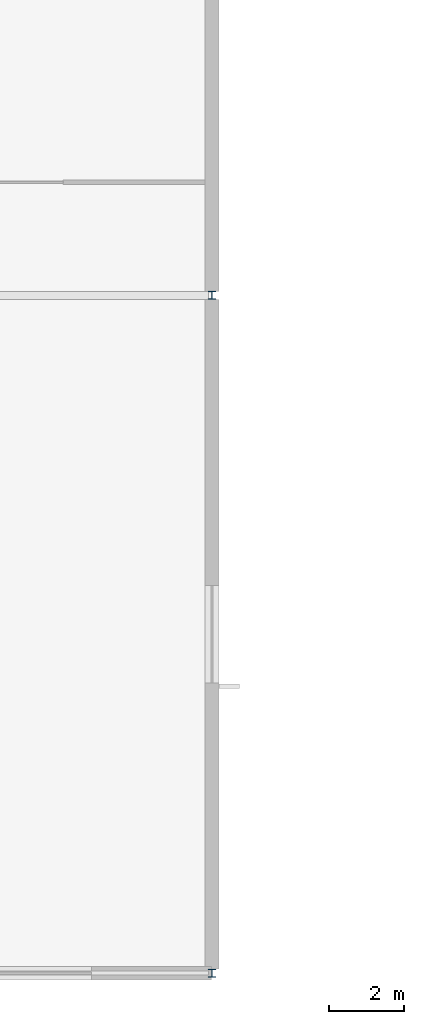
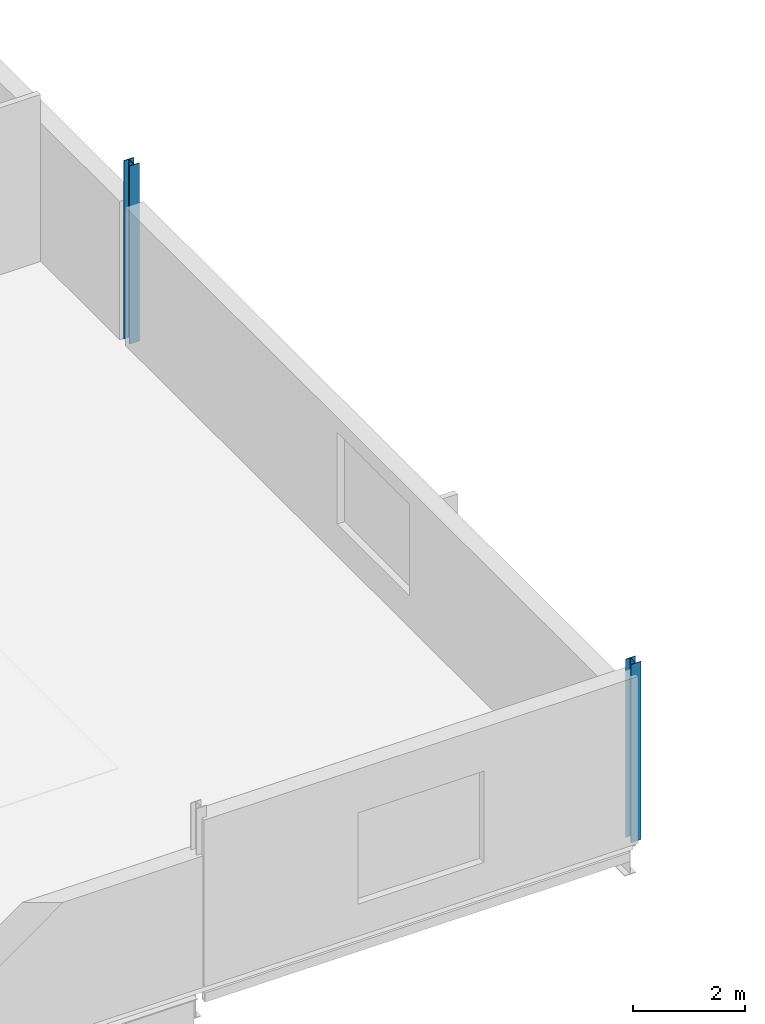
# One storey, part 3 of 35: 2 columns.
"""IFC4 building model written with IfcOpenShell, lengths in metres."""

from ifc_helpers import new_model, si_unit, direction, frame, origin, origin_2d, place, context, subcontext, project, spatial, i_section, extrude, material, material_profile, profile_set, type_object, element, save


model = new_model("IFC4")

# Units and contexts
model_context = context("Model", 3, precision=1e-05, world=origin(), true_north=direction((0.0, 1.0)))
body_context = subcontext(model_context, "Body", "Model", "MODEL_VIEW")
ifc_project = project(units=[si_unit("LENGTHUNIT", "METRE"), si_unit("AREAUNIT", "SQUARE_METRE"), si_unit("VOLUMEUNIT", "CUBIC_METRE"), si_unit("PLANEANGLEUNIT", "RADIAN"), si_unit("MASSUNIT", "GRAM", prefix="KILO")], contexts=[model_context])

# Site, building, storey
site_placement = place(None, origin())
site = spatial("IfcSite", under=ifc_project, at=site_placement, CompositionType="ELEMENT")
building_placement = place(site_placement, origin())
building = spatial("IfcBuilding", under=site, at=building_placement, Name="Kisiwana Market Hall", CompositionType="ELEMENT")
storey_placement = place(building_placement, frame((0.0, 0.0, 61.800048828125)))
storey = spatial("IfcBuildingStorey", under=building, at=storey_placement, Name="L14", CompositionType="ELEMENT", Elevation=61.800048828125)

# Columns
ifc_material = material(Name="Steel S355", Category="steel")
ifc_material_profile = material_profile(ifc_material, i_section(OverallWidth=0.205810546875, OverallDepth=0.209716796875, WebThickness=0.009521484375, FlangeThickness=0.01416015625, FilletRadius=0.01025390625, at=origin_2d()), Name="UC 203x203x60")
ifc_profile_set = profile_set([ifc_material_profile], Name="Steel S355")
column_type = type_object("IfcColumnType", Name="COL-STL-UC060", PredefinedType="COLUMN", material=ifc_profile_set)
for number, where, z_axis, x_axis, name in (
    (1, (36.0, 18.0, 0.0), (0.0, 0.0, 1.0), (1.0, 0.0, 0.0), "Column C/5 (L14) C-1456"),
    (2, (36.0, 36.0, 0.0), (0.0, 0.0, 1.0), (1.0, 0.0, 0.0), "Column E/5 (L14) C-1457"),
):
    element("IfcColumn", number, at=place(storey_placement, frame(where, z_axis=z_axis, x_axis=x_axis)), inside=storey, type_object=column_type, Name=name, PredefinedType="COLUMN", context=body_context, shape_type="SweptSolid", body=[
        extrude(i_section(OverallWidth=0.205810546875, OverallDepth=0.209716796875, WebThickness=0.009521484375, FlangeThickness=0.01416015625, FilletRadius=0.01025390625, at=origin_2d()), origin(), (0.0, 0.0, 1.0), 3.89990234375),
    ])

save(model, "model.ifc")
